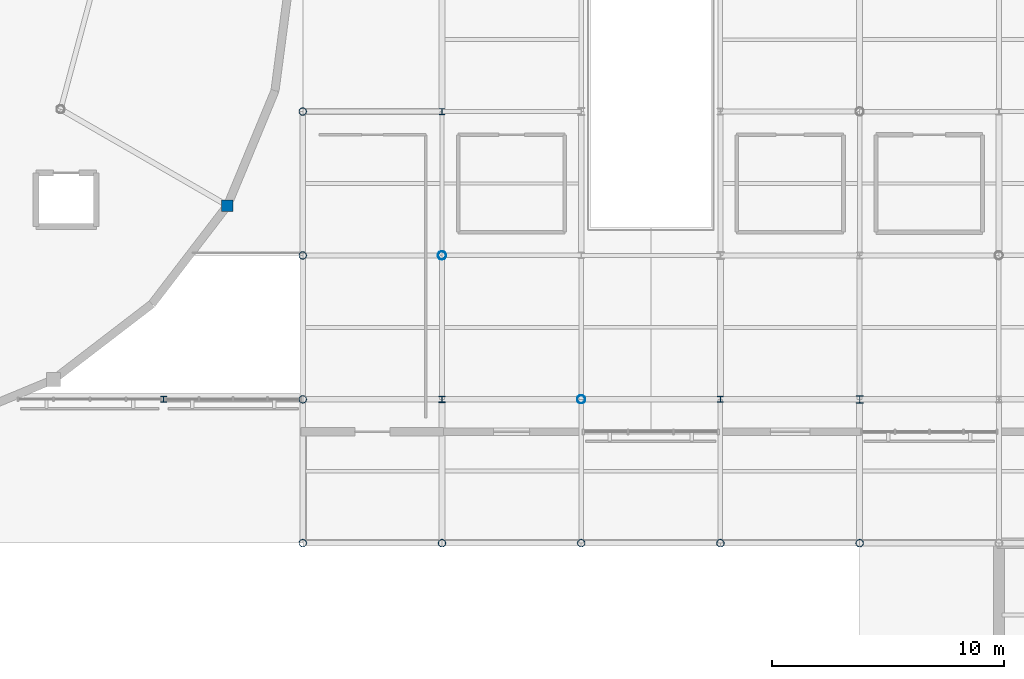
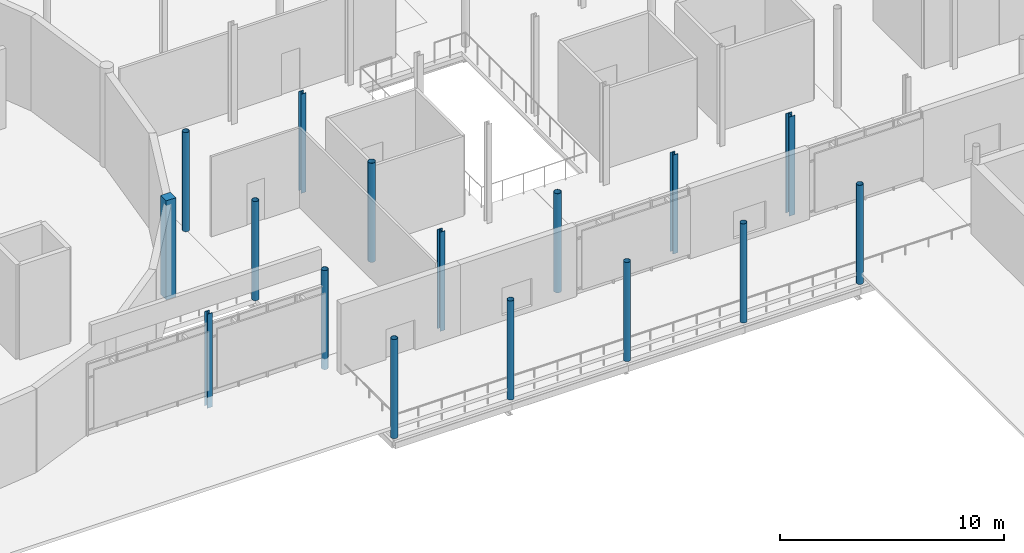
# One storey, part 6 of 105: 16 columns.
"""IFC4 building model written with IfcOpenShell, lengths in metres."""

from ifc_helpers import new_model, si_unit, direction, frame, origin, origin_2d, place, context, subcontext, project, spatial, rectangle, hollow_circle, i_section, extrude, material, material_profile, profile_set, type_object, element, save


model = new_model("IFC4")

# Units and contexts
model_context = context("Model", 3, precision=1e-05, world=origin(), true_north=direction((0.0, 1.0)))
body_context = subcontext(model_context, "Body", "Model", "MODEL_VIEW")
ifc_project = project(units=[si_unit("LENGTHUNIT", "METRE"), si_unit("AREAUNIT", "SQUARE_METRE"), si_unit("VOLUMEUNIT", "CUBIC_METRE"), si_unit("PLANEANGLEUNIT", "RADIAN"), si_unit("MASSUNIT", "GRAM", prefix="KILO")], contexts=[model_context])

# Site, building, storey
site_placement = place(None, origin())
site = spatial("IfcSite", under=ifc_project, at=site_placement, CompositionType="ELEMENT")
building_placement = place(site_placement, origin())
building = spatial("IfcBuilding", under=site, at=building_placement, Name="Mirzam Square Science Centre", CompositionType="ELEMENT")
storey_placement = place(building_placement, frame((0.0, 0.0, 5.39990234375)))
storey = spatial("IfcBuildingStorey", under=building, at=storey_placement, Name="L01", CompositionType="ELEMENT", Elevation=5.39990234375)

# Columns
ifc_material_1 = material(Name="Steel S355", Category="steel")
ifc_material_profile_1 = material_profile(ifc_material_1, hollow_circle(Radius=0.161865234375, WallThickness=0.012451171875, at=origin_2d()), Name="323.9x12.5CHS")
ifc_profile_set_1 = profile_set([ifc_material_profile_1], Name="Steel S355")
column_type_1 = type_object("IfcColumnType", Name="COL-CHS324", PredefinedType="COLUMN", material=ifc_profile_set_1)
for number, where, z_axis, x_axis, name in (
    (1, (102.0, 37.199951171875, 0.0), (0.0, 0.0, 1.0), (1.0, 0.0, 0.0), "L01 column G18-07"),
    (2, (102.0, 43.39990234375, 0.0), (0.0, 0.0, 1.0), (1.0, 0.0, 0.0), "L01 column G18-08"),
    (3, (102.0, 49.60009765625, 0.0), (0.0, 0.0, 1.0), (1.0, 0.0, 0.0), "L01 column G18-09"),
    (4, (102.0, 55.800048828125, 0.0), (0.0, 0.0, 1.0), (1.0, 0.0, 0.0), "L01 column G18-10"),
    (5, (108.0, 37.199951171875, 0.0), (0.0, 0.0, 1.0), (1.0, 0.0, 0.0), "L01 column G19-07"),
    (6, (114.0, 37.199951171875, 0.0), (0.0, 0.0, 1.0), (1.0, 0.0, 0.0), "L01 column G20-07"),
    (7, (120.0, 37.199951171875, 0.0), (0.0, 0.0, 1.0), (1.0, 0.0, 0.0), "L01 column G21-07"),
    (8, (126.0, 37.199951171875, 0.0), (0.0, 0.0, 1.0), (1.0, 0.0, 0.0), "L01 column G22-07"),
):
    element("IfcColumn", number, at=place(storey_placement, frame(where, z_axis=z_axis, x_axis=x_axis)), inside=storey, type_object=column_type_1, Name=name, PredefinedType="COLUMN", context=body_context, shape_type="SweptSolid", body=[
        extrude(hollow_circle(Radius=0.161865234375, WallThickness=0.012451171875, at=origin_2d()), origin(), (0.0, 0.0, 1.0), 5.400146484375),
    ])
ifc_material_profile_2 = material_profile(ifc_material_1, hollow_circle(Radius=0.177734375, WallThickness=0.012451171875, at=origin_2d()), Name="355.6x12.5CHS")
ifc_profile_set_2 = profile_set([ifc_material_profile_2], Name="Steel S355")
column_type_2 = type_object("IfcColumnType", Name="COL-CHS355", PredefinedType="COLUMN", material=ifc_profile_set_2)
for number, where, z_axis, x_axis, name in (
    (9, (108.0, 49.60009765625, 0.0), (0.0, 0.0, 1.0), (1.0, 0.0, 0.0), "L01 column G19-09"),
    (10, (114.0, 43.39990234375, 0.0), (0.0, 0.0, 1.0), (1.0, 0.0, 0.0), "L01 column G20-08"),
):
    element("IfcColumn", number, at=place(storey_placement, frame(where, z_axis=z_axis, x_axis=x_axis)), inside=storey, type_object=column_type_2, Name=name, PredefinedType="COLUMN", context=body_context, shape_type="SweptSolid", body=[
        extrude(hollow_circle(Radius=0.177734375, WallThickness=0.012451171875, at=origin_2d()), origin(), (0.0, 0.0, 1.0), 5.400146484375),
    ])
ifc_material_profile_3 = material_profile(ifc_material_1, i_section(OverallWidth=0.25634765625, OverallDepth=0.26025390625, WebThickness=0.01025390625, FlangeThickness=0.017333984375, FilletRadius=0.0126953125, at=origin_2d()), Name="254x254x89UC")
ifc_profile_set_3 = profile_set([ifc_material_profile_3], Name="Steel S355")
column_type_3 = type_object("IfcColumnType", Name="COL-UC254A", PredefinedType="COLUMN", material=ifc_profile_set_3)
column_1_placement = place(storey_placement, frame((96.0, 43.39990234375, 0.0), z_axis=(0.0, 0.0, 1.0), x_axis=(1.0, 0.0, 0.0)))
element("IfcColumn", 11, at=column_1_placement, inside=storey, type_object=column_type_3, Name="L01 column G17-08", PredefinedType="COLUMN", context=body_context, shape_type="SweptSolid", body=[
    extrude(i_section(OverallWidth=0.25634765625, OverallDepth=0.26025390625, WebThickness=0.01025390625, FlangeThickness=0.017333984375, FilletRadius=0.0126953125, at=origin_2d()), origin(), (0.0, 0.0, 1.0), 5.135009765625),
])
for number, where, z_axis, x_axis, name in (
    (12, (108.0, 55.800048828125, 0.0), (0.0, 0.0, 1.0), (1.0, 0.0, 0.0), "L01 column G19-10"),
    (13, (120.0, 43.39990234375, 0.0), (0.0, 0.0, 1.0), (1.0, 0.0, 0.0), "L01 column G21-08"),
):
    element("IfcColumn", number, at=place(storey_placement, frame(where, z_axis=z_axis, x_axis=x_axis)), inside=storey, type_object=column_type_3, Name=name, PredefinedType="COLUMN", context=body_context, shape_type="SweptSolid", body=[
        extrude(i_section(OverallWidth=0.25634765625, OverallDepth=0.26025390625, WebThickness=0.01025390625, FlangeThickness=0.017333984375, FilletRadius=0.0126953125, at=origin_2d()), origin(), (0.0, 0.0, 1.0), 5.400146484375),
    ])
ifc_material_profile_4 = material_profile(ifc_material_1, i_section(OverallWidth=0.26123046875, OverallDepth=0.2763671875, WebThickness=0.015380859375, FlangeThickness=0.025390625, FilletRadius=0.0126953125, at=origin_2d()), Name="254x254x132UC")
ifc_profile_set_4 = profile_set([ifc_material_profile_4], Name="Steel S355")
column_type_4 = type_object("IfcColumnType", Name="COL-UC254B", PredefinedType="COLUMN", material=ifc_profile_set_4)
column_2_placement = place(storey_placement, frame((108.0, 43.39990234375, 0.0), z_axis=(0.0, 0.0, 1.0), x_axis=(1.0, 0.0, 0.0)))
element("IfcColumn", 14, at=column_2_placement, inside=storey, type_object=column_type_4, Name="L01 column G19-08", PredefinedType="COLUMN", context=body_context, shape_type="SweptSolid", body=[
    extrude(i_section(OverallWidth=0.26123046875, OverallDepth=0.2763671875, WebThickness=0.015380859375, FlangeThickness=0.025390625, FilletRadius=0.0126953125, at=origin_2d()), origin(), (0.0, 0.0, 1.0), 5.400146484375),
])
ifc_material_profile_5 = material_profile(ifc_material_1, i_section(OverallWidth=0.30908203125, OverallDepth=0.320556640625, WebThickness=0.013916015625, FlangeThickness=0.021728515625, FilletRadius=0.01513671875, at=origin_2d()), Name="305x305x137UC")
ifc_profile_set_5 = profile_set([ifc_material_profile_5], Name="Steel S355")
column_type_5 = type_object("IfcColumnType", Name="COL-UC305A", PredefinedType="COLUMN", material=ifc_profile_set_5)
column_3_placement = place(storey_placement, frame((126.0, 43.39990234375, 0.0), z_axis=(0.0, 0.0, 1.0), x_axis=(1.0, 0.0, 0.0)))
element("IfcColumn", 15, at=column_3_placement, inside=storey, type_object=column_type_5, Name="L01 column G22-08", PredefinedType="COLUMN", context=body_context, shape_type="SweptSolid", body=[
    extrude(i_section(OverallWidth=0.30908203125, OverallDepth=0.320556640625, WebThickness=0.013916015625, FlangeThickness=0.021728515625, FilletRadius=0.01513671875, at=origin_2d()), origin(), (0.0, 0.0, 1.0), 5.400146484375),
])
ifc_material_2 = material(Name="Concrete C45/55", Category="concrete")
ifc_material_profile_6 = material_profile(ifc_material_2, rectangle(XDim=0.5, YDim=0.5, at=origin_2d()), Name="RC500x500")
ifc_profile_set_6 = profile_set([ifc_material_profile_6], Name="Concrete C45/55")
column_type_6 = type_object("IfcColumnType", Name="PIL-RC500", PredefinedType="PILASTER", material=ifc_profile_set_6)
column_4_placement = place(storey_placement, frame((98.75341796875, 51.75, 0.0), z_axis=(0.0, 0.0, 1.0), x_axis=(1.0, 0.0, 0.0)))
element("IfcColumn", 16, at=column_4_placement, inside=storey, type_object=column_type_6, Name="L01 drum pilaster 23", PredefinedType="PILASTER", context=body_context, shape_type="SweptSolid", body=[
    extrude(rectangle(XDim=0.5, YDim=0.5, at=origin_2d()), origin(), (0.0, 0.0, 1.0), 5.400146484375),
])

save(model, "model.ifc")
